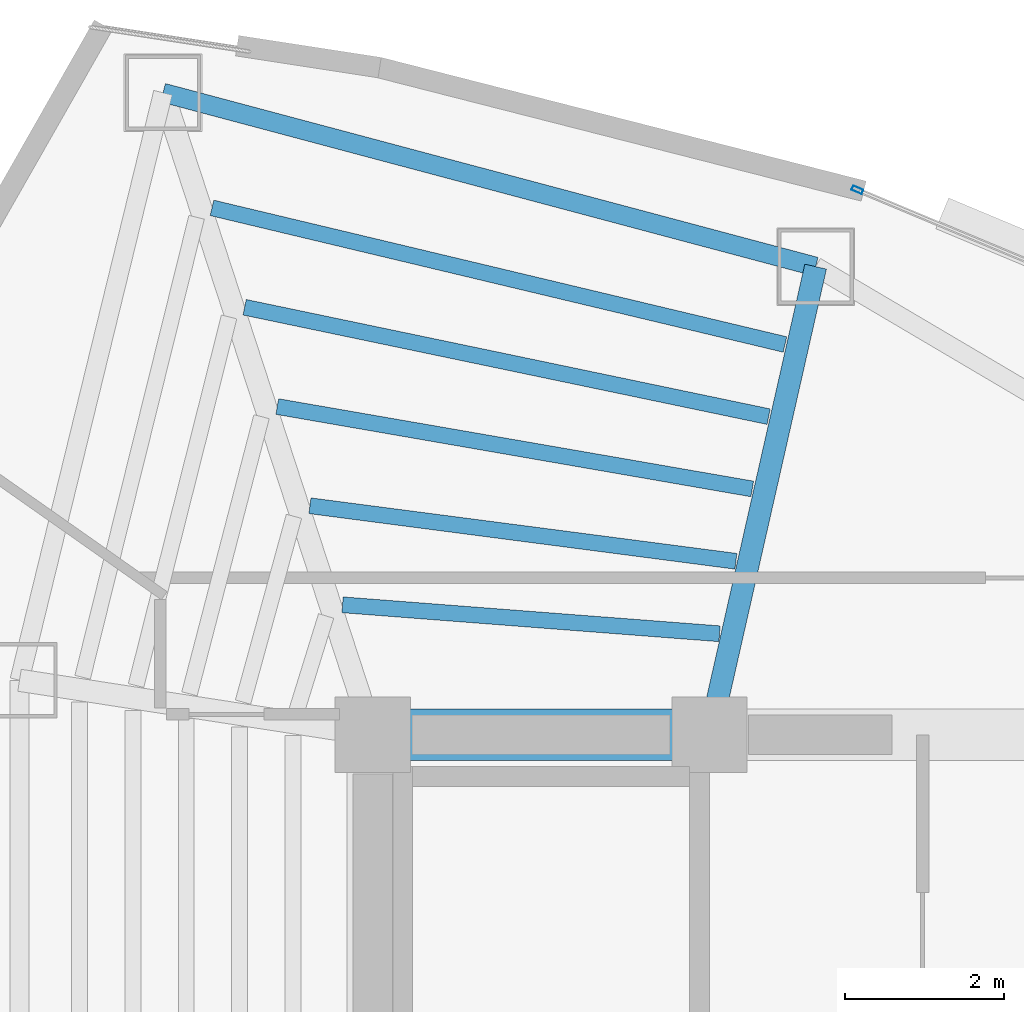
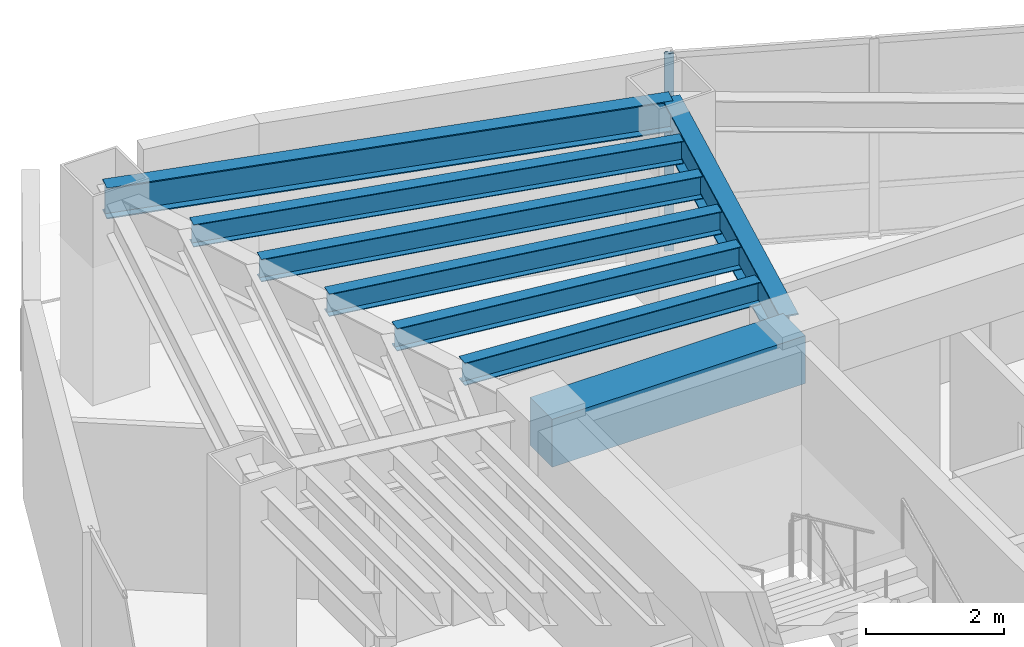
# One storey, part 7 of 15: 8 beams, 1 member, 1 element without a shape of its own.
"""IFC4 building model written with IfcOpenShell, lengths in metres."""

from ifc_helpers import new_model, si_unit, direction, frame, origin, origin_2d, place, context, subcontext, project, spatial, rectangle, hollow_rectangle, i_section, extrude, material, layer, layer_set, material_profile, profile_set, type_object, element, aggregate, save


model = new_model("IFC4")

# Units and contexts
model_context = context("Model", 3, precision=1e-05, world=origin(), true_north=direction((0.0, 1.0)))
body_context = subcontext(model_context, "Body", "Model", "MODEL_VIEW")
ifc_project = project(units=[si_unit("LENGTHUNIT", "METRE"), si_unit("AREAUNIT", "SQUARE_METRE"), si_unit("VOLUMEUNIT", "CUBIC_METRE"), si_unit("PLANEANGLEUNIT", "RADIAN"), si_unit("MASSUNIT", "GRAM", prefix="KILO")], contexts=[model_context])

# Site, building, storey
site_placement = place(None, origin())
site = spatial("IfcSite", under=ifc_project, at=site_placement, CompositionType="ELEMENT")
building_placement = place(site_placement, origin())
building = spatial("IfcBuilding", under=site, at=building_placement, Name="Menara Vayukalpa", CompositionType="ELEMENT")
storey_placement = place(building_placement, frame((0.0, 0.0, 176.639892578125)))
storey = spatial("IfcBuildingStorey", under=building, at=storey_placement, Name="L44", CompositionType="ELEMENT", Elevation=176.639892578125)

# Beams
ifc_material_1 = material(Name="Concrete C60/75", Category="concrete")
ifc_material_profile_1 = material_profile(ifc_material_1, rectangle(XDim=0.64990234375, YDim=0.85009765625, at=origin_2d()), Name="RC 650x850")
ifc_profile_set_1 = profile_set([ifc_material_profile_1], Name="Concrete C60/75")
beam_type_1 = type_object("IfcBeamType", Name="BM-CB1", PredefinedType="BEAM", material=ifc_profile_set_1)
beam_1_placement = place(storey_placement, frame((17.800048828125, 26.800048828125, 3.0751953125), z_axis=(1.0, 0.0, 0.0), x_axis=(0.0, 1.0, 0.0)))
element("IfcBeam", 1, at=beam_1_placement, inside=storey, type_object=beam_type_1, Name="L44 Core Tie Beam CBR4", PredefinedType="BEAM", context=body_context, shape_type="SweptSolid", body=[
    extrude(rectangle(XDim=0.64990234375, YDim=0.85009765625, at=origin_2d()), origin(), (0.0, 0.0, 1.0), 4.25),
])
ifc_material_2 = material(Name="Steel S355", Category="steel")
ifc_material_profile_2 = material_profile(ifc_material_2, i_section(OverallWidth=0.280029296875, OverallDepth=0.75, WebThickness=0.013916015625, FlangeThickness=0.02490234375, at=origin_2d()), Name="WF 750x280x14x25")
ifc_profile_set_2 = profile_set([ifc_material_profile_2], Name="Steel S355")
beam_type_2 = type_object("IfcBeamType", Name="BM-PG4", PredefinedType="BEAM", material=ifc_profile_set_2)
beam_2_placement = place(storey_placement, frame((22.105224609375, 27.043701171875, 3.125), z_axis=(0.221085149161, 0.975254508741, 0.0), x_axis=(-0.975254508741, 0.221085149161, 0.0)))
element("IfcBeam", 2, at=beam_2_placement, inside=storey, type_object=beam_type_2, Name="L44 Primary Radial Girder RG03", PredefinedType="BEAM", context=body_context, shape_type="SweptSolid", body=[
    extrude(i_section(OverallWidth=0.280029296875, OverallDepth=0.75, WebThickness=0.013916015625, FlangeThickness=0.02490234375, at=origin_2d()), origin(), (0.0, 0.0, 1.0), 5.80859375),
])
ifc_material_3 = material(Name="Steel S355", Category="steel")
ifc_material_profile_3 = material_profile(ifc_material_3, i_section(OverallWidth=0.199951171875, OverallDepth=0.39990234375, WebThickness=0.008056640625, FlangeThickness=0.012939453125, at=origin_2d()), Name="WF 400x200x8x13")
ifc_profile_set_3 = profile_set([ifc_material_profile_3], Name="Steel S355")
beam_type_3 = type_object("IfcBeamType", Name="BM-SJ2", PredefinedType="JOIST", material=ifc_profile_set_3)
beam_3_placement = place(storey_placement, frame((22.177001953125, 28.07568359375, 3.300048828125), z_axis=(-0.997061705182, 0.076602585202, 0.0), x_axis=(-0.076602585202, -0.997061705182, 0.0)))
element("IfcBeam", 3, at=beam_3_placement, inside=storey, type_object=beam_type_3, Name="L44 Secondary Floor Joist SJ03-1", PredefinedType="JOIST", context=body_context, shape_type="SweptSolid", body=[
    extrude(i_section(OverallWidth=0.199951171875, OverallDepth=0.39990234375, WebThickness=0.008056640625, FlangeThickness=0.012939453125, at=origin_2d()), origin(), (0.0, 0.0, 1.0), 4.77099609375),
])
beam_4_placement = place(storey_placement, frame((22.38330078125, 28.990478515625, 3.300048828125), z_axis=(-0.99161070493, 0.129260240866, 0.0), x_axis=(-0.129260240866, -0.99161070493, 0.0)))
element("IfcBeam", 4, at=beam_4_placement, inside=storey, type_object=beam_type_3, Name="L44 Secondary Floor Joist SJ03-2", PredefinedType="JOIST", context=body_context, shape_type="SweptSolid", body=[
    extrude(i_section(OverallWidth=0.199951171875, OverallDepth=0.39990234375, WebThickness=0.008056640625, FlangeThickness=0.012939453125, at=origin_2d()), origin(), (0.0, 0.0, 1.0), 5.420654296875),
])
beam_5_placement = place(storey_placement, frame((22.589599609375, 29.9033203125, 3.300048828125), z_axis=(-0.985288833054, 0.170897382832, 0.0), x_axis=(-0.170897382832, -0.985288833054, 0.0)))
element("IfcBeam", 5, at=beam_5_placement, inside=storey, type_object=beam_type_3, Name="L44 Secondary Floor Joist SJ03-3", PredefinedType="JOIST", context=body_context, shape_type="SweptSolid", body=[
    extrude(i_section(OverallWidth=0.199951171875, OverallDepth=0.39990234375, WebThickness=0.008056640625, FlangeThickness=0.012939453125, at=origin_2d()), origin(), (0.0, 0.0, 1.0), 6.0830078125),
])
beam_6_placement = place(storey_placement, frame((22.796142578125, 30.815185546875, 3.300048828125), z_axis=(-0.97888709748, 0.204401688806, 0.0), x_axis=(-0.204401688806, -0.97888709748, 0.0)))
element("IfcBeam", 6, at=beam_6_placement, inside=storey, type_object=beam_type_3, Name="L44 Secondary Floor Joist SJ03-4", PredefinedType="JOIST", context=body_context, shape_type="SweptSolid", body=[
    extrude(i_section(OverallWidth=0.199951171875, OverallDepth=0.39990234375, WebThickness=0.008056640625, FlangeThickness=0.012939453125, at=origin_2d()), origin(), (0.0, 0.0, 1.0), 6.75439453125),
])
beam_7_placement = place(storey_placement, frame((23.002685546875, 31.725830078125, 3.300048828125), z_axis=(-0.972731800574, 0.231932844055, 0.0), x_axis=(-0.231932844055, -0.972731800574, 0.0)))
element("IfcBeam", 7, at=beam_7_placement, inside=storey, type_object=beam_type_3, Name="L44 Secondary Floor Joist SJ03-5", PredefinedType="JOIST", context=body_context, shape_type="SweptSolid", body=[
    extrude(i_section(OverallWidth=0.199951171875, OverallDepth=0.39990234375, WebThickness=0.008056640625, FlangeThickness=0.012939453125, at=origin_2d()), origin(), (0.0, 0.0, 1.0), 7.4326171875),
])
ifc_material_4 = material(Name="Steel S355", Category="steel")
ifc_material_profile_4 = material_profile(ifc_material_4, i_section(OverallWidth=0.239990234375, OverallDepth=0.550048828125, WebThickness=0.010986328125, FlangeThickness=0.01904296875, at=origin_2d()), Name="WF 550x240x11x19")
ifc_profile_set_4 = profile_set([ifc_material_profile_4], Name="Steel S355")
beam_type_4 = type_object("IfcBeamType", Name="BM-SP2", PredefinedType="SPANDREL", material=ifc_profile_set_4)
beam_8_placement = place(storey_placement, frame((23.389404296875, 32.70849609375, 3.22509765625), z_axis=(-0.966287699272, 0.25746472037, 0.0), x_axis=(-0.25746472037, -0.966287699272, 0.0)))
element("IfcBeam", 8, at=beam_8_placement, inside=storey, type_object=beam_type_4, Name="L44 Perimeter Spandrel Beam SP03", PredefinedType="SPANDREL", context=body_context, shape_type="SweptSolid", body=[
    extrude(i_section(OverallWidth=0.239990234375, OverallDepth=0.550048828125, WebThickness=0.010986328125, FlangeThickness=0.01904296875, at=origin_2d()), origin(), (0.0, 0.0, 1.0), 8.52197265625),
])

# Curtain wall, member
ifc_material_5 = material(Name="Anodised Terracotta Aluminium Alloy 6063-T6", Category="masonry")
ifc_layer = layer(ifc_material_5, 0.139892578125)
ifc_layer_set = layer_set([ifc_layer], Name="Anodised Terracotta Aluminium Alloy 6063-T6")
curtain_wall_type = type_object("IfcCurtainWallType", Name="CW-CW5", PredefinedType="USERDEFINED", material=ifc_layer_set)
curtain_wall_placement = place(storey_placement, origin())
curtain_wall = element("IfcCurtainWall", 9, at=curtain_wall_placement, inside=storey, type_object=curtain_wall_type, Name="L44 High Rise Tapered Curtain Wall CW5 05", ObjectType="UNITISED", PredefinedType="USERDEFINED")
ifc_material_6 = material(Name="Anodised Terracotta Aluminium Alloy 6063-T6", Category="masonry")
ifc_material_profile_5 = material_profile(ifc_material_6, hollow_rectangle(XDim=0.06005859375, YDim=0.139892578125, WallThickness=0.00341796875, at=origin_2d()), Name="ALU 60x140x3.5")
ifc_profile_set_5 = profile_set([ifc_material_profile_5], Name="Anodised Terracotta Aluminium Alloy 6063-T6")
member_type = type_object("IfcMemberType", Name="CWM-CW5", PredefinedType="MULLION", material=ifc_profile_set_5)
member_placement = place(storey_placement, frame((23.916259765625, 33.677001953125, 0.0), z_axis=(0.0, 0.0, 1.0), x_axis=(-0.385902834406, -0.922539431351, 0.0)))
member = element("IfcMember", 10, at=member_placement, type_object=member_type, Name="CW5 mullion 3", PredefinedType="MULLION", context=body_context, shape_type="SweptSolid", body=[
    extrude(hollow_rectangle(XDim=0.06005859375, YDim=0.139892578125, WallThickness=0.00341796875, at=origin_2d()), origin(), (0.0, 0.0, 1.0), 3.5),
])
aggregate(curtain_wall, [member])

save(model, "model.ifc")
